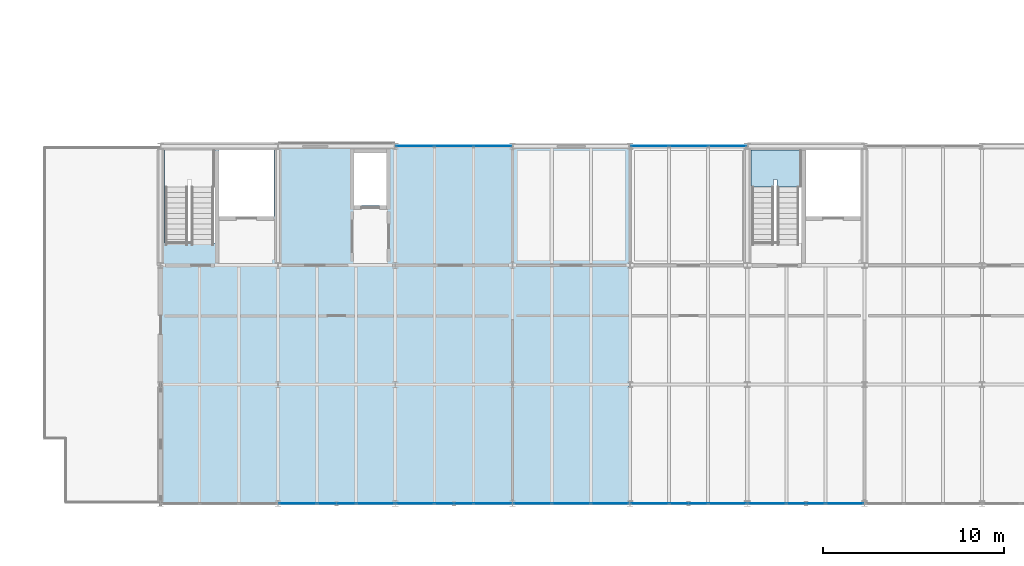
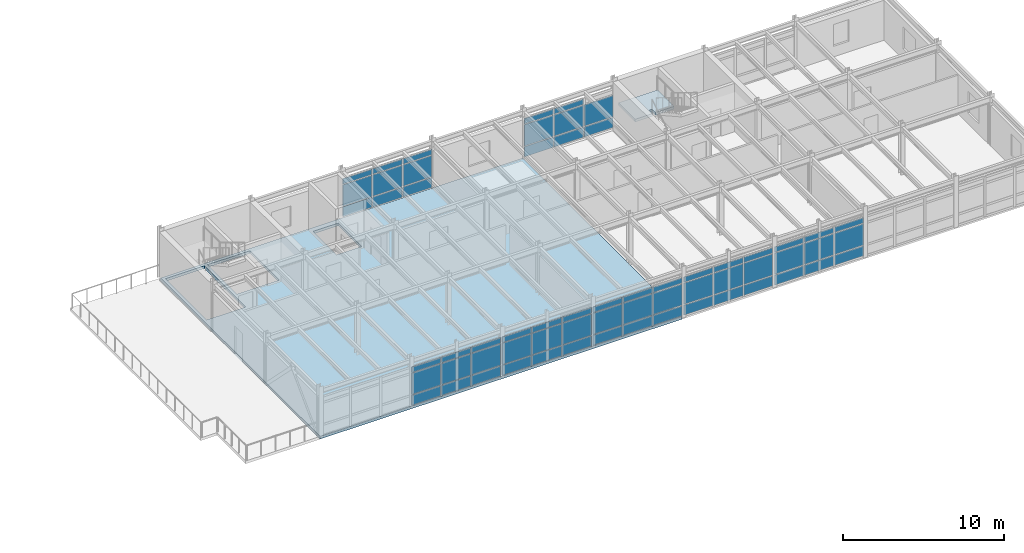
# One storey, part 35 of 57: 62 plates, 2 slabs, 8 elements without a shape of their own.
"""IFC4 building model written with IfcOpenShell, lengths in metres."""

from ifc_helpers import new_model, si_unit, direction, frame, origin, origin_2d, place, context, subcontext, project, spatial, polyline, rectangle, outline, extrude, material, layer, layer_set, type_object, element, aggregate, save


model = new_model("IFC4")

# Units and contexts
model_context = context("Model", 3, precision=1e-05, world=origin(), true_north=direction((0.0, 1.0)))
body_context = subcontext(model_context, "Body", "Model", "MODEL_VIEW")
ifc_project = project(units=[si_unit("LENGTHUNIT", "METRE"), si_unit("AREAUNIT", "SQUARE_METRE"), si_unit("VOLUMEUNIT", "CUBIC_METRE"), si_unit("PLANEANGLEUNIT", "RADIAN"), si_unit("MASSUNIT", "GRAM", prefix="KILO")], contexts=[model_context])

# Site, building, storey
site_placement = place(None, origin())
site = spatial("IfcSite", under=ifc_project, at=site_placement, CompositionType="ELEMENT")
building_placement = place(site_placement, origin())
building = spatial("IfcBuilding", under=site, at=building_placement, Name="Trelmorton Wharf Fire Station", CompositionType="ELEMENT")
storey_placement = place(building_placement, frame((0.0, 0.0, 13.5)))
storey = spatial("IfcBuildingStorey", under=building, at=storey_placement, Name="L03", CompositionType="ELEMENT", Elevation=13.5)

# Curtain wall, plates
ifc_material_1 = material(Name="Anodised aluminium AW-6063", Category="aluminium")
ifc_layer_1 = layer(ifc_material_1, 0.175048828125)
ifc_layer_set_1 = layer_set([ifc_layer_1], Name="Anodised aluminium AW-6063")
curtain_wall_type_1 = type_object("IfcCurtainWallType", Name="CW_CHIC_B", PredefinedType="USERDEFINED", material=ifc_layer_set_1)
curtain_wall_1_placement = place(storey_placement, origin())
curtain_wall_1 = element("IfcCurtainWall", 1, at=curtain_wall_1_placement, inside=storey, type_object=curtain_wall_type_1, Name="CW-V5-L03-062", ObjectType="CHICAGO BAY CURTAIN WALL", PredefinedType="USERDEFINED")
ifc_material_2 = material(Name="Tempered low-E double glazing", Category="glass")
ifc_layer_2 = layer(ifc_material_2, 0.028076171875)
ifc_layer_set_2 = layer_set([ifc_layer_2], Name="Tempered low-E double glazing")
plate_type_1 = type_object("IfcPlateType", Name="CWP_GLAZ_28", PredefinedType="CURTAIN_PANEL", material=ifc_layer_set_2)
plate_1_placement = place(storey_placement, frame((122.3984375, 7.800048828125, 0.06005859375), z_axis=(0.0, 0.0, 1.0), x_axis=(-1.0, 0.0, 0.0)))
plate_1 = element("IfcPlate", 2, at=plate_1_placement, type_object=plate_type_1, Name="CW2 panel 1.1", PredefinedType="CURTAIN_PANEL", context=body_context, shape_type="SweptSolid", body=[
    extrude(rectangle(XDim=2.0732421875, YDim=0.028076171875, at=origin_2d()), origin(), (0.0, 0.0, 1.0), 0.760009765625),
])
plate_2_placement = place(storey_placement, frame((122.3984375, 7.800048828125, 0.8798828125), z_axis=(0.0, 0.0, 1.0), x_axis=(-1.0, 0.0, 0.0)))
plate_2 = element("IfcPlate", 3, at=plate_2_placement, type_object=plate_type_1, Name="CW2 panel 1.2", PredefinedType="CURTAIN_PANEL", context=body_context, shape_type="SweptSolid", body=[
    extrude(rectangle(XDim=2.0732421875, YDim=0.028076171875, at=origin_2d()), origin(), (0.0, 0.0, 1.0), 1.610107421875),
])
plate_3_placement = place(storey_placement, frame((122.3984375, 7.800048828125, 2.5498046875), z_axis=(0.0, 0.0, 1.0), x_axis=(-1.0, 0.0, 0.0)))
plate_3 = element("IfcPlate", 4, at=plate_3_placement, type_object=plate_type_1, Name="CW2 panel 1.3", PredefinedType="CURTAIN_PANEL", context=body_context, shape_type="SweptSolid", body=[
    extrude(rectangle(XDim=2.0732421875, YDim=0.028076171875, at=origin_2d()), origin(), (0.0, 0.0, 1.0), 0.409912109375),
])
plate_4_placement = place(storey_placement, frame((120.25, 7.800048828125, 0.06005859375), z_axis=(0.0, 0.0, 1.0), x_axis=(-1.0, 0.0, 0.0)))
plate_4 = element("IfcPlate", 5, at=plate_4_placement, type_object=plate_type_1, Name="CW2 panel 2.1", PredefinedType="CURTAIN_PANEL", context=body_context, shape_type="SweptSolid", body=[
    extrude(rectangle(XDim=2.103271484375, YDim=0.028076171875, at=origin_2d()), origin(), (0.0, 0.0, 1.0), 0.760009765625),
])
plate_5_placement = place(storey_placement, frame((120.25, 7.800048828125, 0.8798828125), z_axis=(0.0, 0.0, 1.0), x_axis=(-1.0, 0.0, 0.0)))
plate_5 = element("IfcPlate", 6, at=plate_5_placement, type_object=plate_type_1, Name="CW2 panel 2.2", PredefinedType="CURTAIN_PANEL", context=body_context, shape_type="SweptSolid", body=[
    extrude(rectangle(XDim=2.103271484375, YDim=0.028076171875, at=origin_2d()), origin(), (0.0, 0.0, 1.0), 1.610107421875),
])
plate_6_placement = place(storey_placement, frame((120.25, 7.800048828125, 2.5498046875), z_axis=(0.0, 0.0, 1.0), x_axis=(-1.0, 0.0, 0.0)))
plate_6 = element("IfcPlate", 7, at=plate_6_placement, type_object=plate_type_1, Name="CW2 panel 2.3", PredefinedType="CURTAIN_PANEL", context=body_context, shape_type="SweptSolid", body=[
    extrude(rectangle(XDim=2.103271484375, YDim=0.028076171875, at=origin_2d()), origin(), (0.0, 0.0, 1.0), 0.409912109375),
])
plate_7_placement = place(storey_placement, frame((118.1015625, 7.800048828125, 0.06005859375), z_axis=(0.0, 0.0, 1.0), x_axis=(-1.0, 0.0, 0.0)))
plate_7 = element("IfcPlate", 8, at=plate_7_placement, type_object=plate_type_1, Name="CW2 panel 3.1", PredefinedType="CURTAIN_PANEL", context=body_context, shape_type="SweptSolid", body=[
    extrude(rectangle(XDim=2.0732421875, YDim=0.028076171875, at=origin_2d()), origin(), (0.0, 0.0, 1.0), 0.760009765625),
])
plate_8_placement = place(storey_placement, frame((118.1015625, 7.800048828125, 0.8798828125), z_axis=(0.0, 0.0, 1.0), x_axis=(-1.0, 0.0, 0.0)))
plate_8 = element("IfcPlate", 9, at=plate_8_placement, type_object=plate_type_1, Name="CW2 panel 3.2", PredefinedType="CURTAIN_PANEL", context=body_context, shape_type="SweptSolid", body=[
    extrude(rectangle(XDim=2.0732421875, YDim=0.028076171875, at=origin_2d()), origin(), (0.0, 0.0, 1.0), 1.610107421875),
])
plate_9_placement = place(storey_placement, frame((118.1015625, 7.800048828125, 2.5498046875), z_axis=(0.0, 0.0, 1.0), x_axis=(-1.0, 0.0, 0.0)))
plate_9 = element("IfcPlate", 10, at=plate_9_placement, type_object=plate_type_1, Name="CW2 panel 3.3", PredefinedType="CURTAIN_PANEL", context=body_context, shape_type="SweptSolid", body=[
    extrude(rectangle(XDim=2.0732421875, YDim=0.028076171875, at=origin_2d()), origin(), (0.0, 0.0, 1.0), 0.409912109375),
])
aggregate(curtain_wall_1, [plate_1, plate_2, plate_3, plate_4, plate_5, plate_6, plate_7, plate_8, plate_9])

curtain_wall_2_placement = place(storey_placement, origin())
curtain_wall_2 = element("IfcCurtainWall", 11, at=curtain_wall_2_placement, inside=storey, type_object=curtain_wall_type_1, Name="CW-V5-L03-064", ObjectType="CHICAGO BAY CURTAIN WALL", PredefinedType="USERDEFINED")
plate_10_placement = place(storey_placement, frame((135.3984375, 7.800048828125, 0.06005859375), z_axis=(0.0, 0.0, 1.0), x_axis=(-1.0, 0.0, 0.0)))
plate_10 = element("IfcPlate", 12, at=plate_10_placement, type_object=plate_type_1, Name="CW2 panel 1.1", PredefinedType="CURTAIN_PANEL", context=body_context, shape_type="SweptSolid", body=[
    extrude(rectangle(XDim=2.0732421875, YDim=0.028076171875, at=origin_2d()), origin(), (0.0, 0.0, 1.0), 0.760009765625),
])
plate_11_placement = place(storey_placement, frame((135.3984375, 7.800048828125, 0.8798828125), z_axis=(0.0, 0.0, 1.0), x_axis=(-1.0, 0.0, 0.0)))
plate_11 = element("IfcPlate", 13, at=plate_11_placement, type_object=plate_type_1, Name="CW2 panel 1.2", PredefinedType="CURTAIN_PANEL", context=body_context, shape_type="SweptSolid", body=[
    extrude(rectangle(XDim=2.0732421875, YDim=0.028076171875, at=origin_2d()), origin(), (0.0, 0.0, 1.0), 1.610107421875),
])
plate_12_placement = place(storey_placement, frame((135.3984375, 7.800048828125, 2.5498046875), z_axis=(0.0, 0.0, 1.0), x_axis=(-1.0, 0.0, 0.0)))
plate_12 = element("IfcPlate", 14, at=plate_12_placement, type_object=plate_type_1, Name="CW2 panel 1.3", PredefinedType="CURTAIN_PANEL", context=body_context, shape_type="SweptSolid", body=[
    extrude(rectangle(XDim=2.0732421875, YDim=0.028076171875, at=origin_2d()), origin(), (0.0, 0.0, 1.0), 0.409912109375),
])
plate_13_placement = place(storey_placement, frame((133.25, 7.800048828125, 0.06005859375), z_axis=(0.0, 0.0, 1.0), x_axis=(-1.0, 0.0, 0.0)))
plate_13 = element("IfcPlate", 15, at=plate_13_placement, type_object=plate_type_1, Name="CW2 panel 2.1", PredefinedType="CURTAIN_PANEL", context=body_context, shape_type="SweptSolid", body=[
    extrude(rectangle(XDim=2.103271484375, YDim=0.028076171875, at=origin_2d()), origin(), (0.0, 0.0, 1.0), 0.760009765625),
])
plate_14_placement = place(storey_placement, frame((133.25, 7.800048828125, 0.8798828125), z_axis=(0.0, 0.0, 1.0), x_axis=(-1.0, 0.0, 0.0)))
plate_14 = element("IfcPlate", 16, at=plate_14_placement, type_object=plate_type_1, Name="CW2 panel 2.2", PredefinedType="CURTAIN_PANEL", context=body_context, shape_type="SweptSolid", body=[
    extrude(rectangle(XDim=2.103271484375, YDim=0.028076171875, at=origin_2d()), origin(), (0.0, 0.0, 1.0), 1.610107421875),
])
plate_15_placement = place(storey_placement, frame((133.25, 7.800048828125, 2.5498046875), z_axis=(0.0, 0.0, 1.0), x_axis=(-1.0, 0.0, 0.0)))
plate_15 = element("IfcPlate", 17, at=plate_15_placement, type_object=plate_type_1, Name="CW2 panel 2.3", PredefinedType="CURTAIN_PANEL", context=body_context, shape_type="SweptSolid", body=[
    extrude(rectangle(XDim=2.103271484375, YDim=0.028076171875, at=origin_2d()), origin(), (0.0, 0.0, 1.0), 0.409912109375),
])
plate_16_placement = place(storey_placement, frame((131.1015625, 7.800048828125, 0.06005859375), z_axis=(0.0, 0.0, 1.0), x_axis=(-1.0, 0.0, 0.0)))
plate_16 = element("IfcPlate", 18, at=plate_16_placement, type_object=plate_type_1, Name="CW2 panel 3.1", PredefinedType="CURTAIN_PANEL", context=body_context, shape_type="SweptSolid", body=[
    extrude(rectangle(XDim=2.0732421875, YDim=0.028076171875, at=origin_2d()), origin(), (0.0, 0.0, 1.0), 0.760009765625),
])
plate_17_placement = place(storey_placement, frame((131.1015625, 7.800048828125, 0.8798828125), z_axis=(0.0, 0.0, 1.0), x_axis=(-1.0, 0.0, 0.0)))
plate_17 = element("IfcPlate", 19, at=plate_17_placement, type_object=plate_type_1, Name="CW2 panel 3.2", PredefinedType="CURTAIN_PANEL", context=body_context, shape_type="SweptSolid", body=[
    extrude(rectangle(XDim=2.0732421875, YDim=0.028076171875, at=origin_2d()), origin(), (0.0, 0.0, 1.0), 1.610107421875),
])
plate_18_placement = place(storey_placement, frame((131.1015625, 7.800048828125, 2.5498046875), z_axis=(0.0, 0.0, 1.0), x_axis=(-1.0, 0.0, 0.0)))
plate_18 = element("IfcPlate", 20, at=plate_18_placement, type_object=plate_type_1, Name="CW2 panel 3.3", PredefinedType="CURTAIN_PANEL", context=body_context, shape_type="SweptSolid", body=[
    extrude(rectangle(XDim=2.0732421875, YDim=0.028076171875, at=origin_2d()), origin(), (0.0, 0.0, 1.0), 0.409912109375),
])
aggregate(curtain_wall_2, [plate_10, plate_11, plate_12, plate_13, plate_14, plate_15, plate_16, plate_17, plate_18])

ifc_layer_3 = layer(ifc_material_1, 0.159912109375)
ifc_layer_set_3 = layer_set([ifc_layer_3], Name="Anodised aluminium AW-6063")
curtain_wall_type_2 = type_object("IfcCurtainWallType", Name="CW_CHIC_A", PredefinedType="USERDEFINED", material=ifc_layer_set_3)
curtain_wall_3_placement = place(storey_placement, origin())
curtain_wall_3 = element("IfcCurtainWall", 21, at=curtain_wall_3_placement, inside=storey, type_object=curtain_wall_type_2, Name="CW-V5-L03-065", ObjectType="CHICAGO BAY CURTAIN WALL", PredefinedType="USERDEFINED")
plate_19_placement = place(storey_placement, frame((141.8984375, 7.800048828125, 0.06005859375), z_axis=(0.0, 0.0, 1.0), x_axis=(-1.0, 0.0, 0.0)))
plate_19 = element("IfcPlate", 22, at=plate_19_placement, type_object=plate_type_1, Name="CW1 panel 1.1", PredefinedType="CURTAIN_PANEL", context=body_context, shape_type="SweptSolid", body=[
    extrude(rectangle(XDim=2.0732421875, YDim=0.028076171875, at=origin_2d()), origin(), (0.0, 0.0, 1.0), 0.760009765625),
])
plate_20_placement = place(storey_placement, frame((141.8984375, 7.800048828125, 0.8798828125), z_axis=(0.0, 0.0, 1.0), x_axis=(-1.0, 0.0, 0.0)))
plate_20 = element("IfcPlate", 23, at=plate_20_placement, type_object=plate_type_1, Name="CW1 panel 1.2", PredefinedType="CURTAIN_PANEL", context=body_context, shape_type="SweptSolid", body=[
    extrude(rectangle(XDim=2.0732421875, YDim=0.028076171875, at=origin_2d()), origin(), (0.0, 0.0, 1.0), 1.610107421875),
])
plate_21_placement = place(storey_placement, frame((141.8984375, 7.800048828125, 2.5498046875), z_axis=(0.0, 0.0, 1.0), x_axis=(-1.0, 0.0, 0.0)))
plate_21 = element("IfcPlate", 24, at=plate_21_placement, type_object=plate_type_1, Name="CW1 panel 1.3", PredefinedType="CURTAIN_PANEL", context=body_context, shape_type="SweptSolid", body=[
    extrude(rectangle(XDim=2.0732421875, YDim=0.028076171875, at=origin_2d()), origin(), (0.0, 0.0, 1.0), 0.409912109375),
])
plate_22_placement = place(storey_placement, frame((139.75, 7.800048828125, 0.06005859375), z_axis=(0.0, 0.0, 1.0), x_axis=(-1.0, 0.0, 0.0)))
plate_22 = element("IfcPlate", 25, at=plate_22_placement, type_object=plate_type_1, Name="CW1 panel 2.1", PredefinedType="CURTAIN_PANEL", context=body_context, shape_type="SweptSolid", body=[
    extrude(rectangle(XDim=2.103271484375, YDim=0.028076171875, at=origin_2d()), origin(), (0.0, 0.0, 1.0), 0.760009765625),
])
plate_23_placement = place(storey_placement, frame((139.75, 7.800048828125, 0.8798828125), z_axis=(0.0, 0.0, 1.0), x_axis=(-1.0, 0.0, 0.0)))
plate_23 = element("IfcPlate", 26, at=plate_23_placement, type_object=plate_type_1, Name="CW1 panel 2.2", PredefinedType="CURTAIN_PANEL", context=body_context, shape_type="SweptSolid", body=[
    extrude(rectangle(XDim=2.103271484375, YDim=0.028076171875, at=origin_2d()), origin(), (0.0, 0.0, 1.0), 1.610107421875),
])
plate_24_placement = place(storey_placement, frame((139.75, 7.800048828125, 2.5498046875), z_axis=(0.0, 0.0, 1.0), x_axis=(-1.0, 0.0, 0.0)))
plate_24 = element("IfcPlate", 27, at=plate_24_placement, type_object=plate_type_1, Name="CW1 panel 2.3", PredefinedType="CURTAIN_PANEL", context=body_context, shape_type="SweptSolid", body=[
    extrude(rectangle(XDim=2.103271484375, YDim=0.028076171875, at=origin_2d()), origin(), (0.0, 0.0, 1.0), 0.409912109375),
])
plate_25_placement = place(storey_placement, frame((137.6015625, 7.800048828125, 0.06005859375), z_axis=(0.0, 0.0, 1.0), x_axis=(-1.0, 0.0, 0.0)))
plate_25 = element("IfcPlate", 28, at=plate_25_placement, type_object=plate_type_1, Name="CW1 panel 3.1", PredefinedType="CURTAIN_PANEL", context=body_context, shape_type="SweptSolid", body=[
    extrude(rectangle(XDim=2.0732421875, YDim=0.028076171875, at=origin_2d()), origin(), (0.0, 0.0, 1.0), 0.760009765625),
])
plate_26_placement = place(storey_placement, frame((137.6015625, 7.800048828125, 0.8798828125), z_axis=(0.0, 0.0, 1.0), x_axis=(-1.0, 0.0, 0.0)))
plate_26 = element("IfcPlate", 29, at=plate_26_placement, type_object=plate_type_1, Name="CW1 panel 3.2", PredefinedType="CURTAIN_PANEL", context=body_context, shape_type="SweptSolid", body=[
    extrude(rectangle(XDim=2.0732421875, YDim=0.028076171875, at=origin_2d()), origin(), (0.0, 0.0, 1.0), 1.610107421875),
])
plate_27_placement = place(storey_placement, frame((137.6015625, 7.800048828125, 2.5498046875), z_axis=(0.0, 0.0, 1.0), x_axis=(-1.0, 0.0, 0.0)))
plate_27 = element("IfcPlate", 30, at=plate_27_placement, type_object=plate_type_1, Name="CW1 panel 3.3", PredefinedType="CURTAIN_PANEL", context=body_context, shape_type="SweptSolid", body=[
    extrude(rectangle(XDim=2.0732421875, YDim=0.028076171875, at=origin_2d()), origin(), (0.0, 0.0, 1.0), 0.409912109375),
])
aggregate(curtain_wall_3, [plate_19, plate_20, plate_21, plate_22, plate_23, plate_24, plate_25, plate_26, plate_27])

ifc_layer_4 = layer(ifc_material_1, 0.14990234375)
ifc_layer_set_4 = layer_set([ifc_layer_4], Name="Anodised aluminium AW-6063")
curtain_wall_type_3 = type_object("IfcCurtainWallType", Name="CW_UNIT_A", PredefinedType="USERDEFINED", material=ifc_layer_set_4)
curtain_wall_4_placement = place(storey_placement, origin())
curtain_wall_4 = element("IfcCurtainWall", 31, at=curtain_wall_4_placement, inside=storey, type_object=curtain_wall_type_3, Name="CW-V5-L03-070", ObjectType="UNITISED CURTAIN WALL", PredefinedType="USERDEFINED")
plate_28_placement = place(storey_placement, frame((137.6015625, 27.60009765625, 0.06005859375), z_axis=(0.0, 0.0, 1.0), x_axis=(1.0, 0.0, 0.0)))
plate_28 = element("IfcPlate", 32, at=plate_28_placement, type_object=plate_type_1, Name="CW3 panel 1.1", PredefinedType="CURTAIN_PANEL", context=body_context, shape_type="SweptSolid", body=[
    extrude(rectangle(XDim=2.0732421875, YDim=0.028076171875, at=origin_2d()), origin(), (0.0, 0.0, 1.0), 0.760009765625),
])
plate_29_placement = place(storey_placement, frame((137.6015625, 27.60009765625, 0.8798828125), z_axis=(0.0, 0.0, 1.0), x_axis=(1.0, 0.0, 0.0)))
plate_29 = element("IfcPlate", 33, at=plate_29_placement, type_object=plate_type_1, Name="CW3 panel 1.2", PredefinedType="CURTAIN_PANEL", context=body_context, shape_type="SweptSolid", body=[
    extrude(rectangle(XDim=2.0732421875, YDim=0.028076171875, at=origin_2d()), origin(), (0.0, 0.0, 1.0), 1.610107421875),
])
plate_30_placement = place(storey_placement, frame((137.6015625, 27.60009765625, 2.5498046875), z_axis=(0.0, 0.0, 1.0), x_axis=(1.0, 0.0, 0.0)))
plate_30 = element("IfcPlate", 34, at=plate_30_placement, type_object=plate_type_1, Name="CW3 panel 1.3", PredefinedType="CURTAIN_PANEL", context=body_context, shape_type="SweptSolid", body=[
    extrude(rectangle(XDim=2.0732421875, YDim=0.028076171875, at=origin_2d()), origin(), (0.0, 0.0, 1.0), 0.409912109375),
])
plate_31_placement = place(storey_placement, frame((139.75, 27.60009765625, 0.06005859375), z_axis=(0.0, 0.0, 1.0), x_axis=(1.0, 0.0, 0.0)))
plate_31 = element("IfcPlate", 35, at=plate_31_placement, type_object=plate_type_1, Name="CW3 panel 2.1", PredefinedType="CURTAIN_PANEL", context=body_context, shape_type="SweptSolid", body=[
    extrude(rectangle(XDim=2.103271484375, YDim=0.028076171875, at=origin_2d()), origin(), (0.0, 0.0, 1.0), 0.760009765625),
])
plate_32_placement = place(storey_placement, frame((139.75, 27.60009765625, 0.8798828125), z_axis=(0.0, 0.0, 1.0), x_axis=(1.0, 0.0, 0.0)))
plate_32 = element("IfcPlate", 36, at=plate_32_placement, type_object=plate_type_1, Name="CW3 panel 2.2", PredefinedType="CURTAIN_PANEL", context=body_context, shape_type="SweptSolid", body=[
    extrude(rectangle(XDim=2.103271484375, YDim=0.028076171875, at=origin_2d()), origin(), (0.0, 0.0, 1.0), 1.610107421875),
])
plate_33_placement = place(storey_placement, frame((139.75, 27.60009765625, 2.5498046875), z_axis=(0.0, 0.0, 1.0), x_axis=(1.0, 0.0, 0.0)))
plate_33 = element("IfcPlate", 37, at=plate_33_placement, type_object=plate_type_1, Name="CW3 panel 2.3", PredefinedType="CURTAIN_PANEL", context=body_context, shape_type="SweptSolid", body=[
    extrude(rectangle(XDim=2.103271484375, YDim=0.028076171875, at=origin_2d()), origin(), (0.0, 0.0, 1.0), 0.409912109375),
])
plate_34_placement = place(storey_placement, frame((141.8984375, 27.60009765625, 0.06005859375), z_axis=(0.0, 0.0, 1.0), x_axis=(1.0, 0.0, 0.0)))
plate_34 = element("IfcPlate", 38, at=plate_34_placement, type_object=plate_type_1, Name="CW3 panel 3.1", PredefinedType="CURTAIN_PANEL", context=body_context, shape_type="SweptSolid", body=[
    extrude(rectangle(XDim=2.0732421875, YDim=0.028076171875, at=origin_2d()), origin(), (0.0, 0.0, 1.0), 0.760009765625),
])
plate_35_placement = place(storey_placement, frame((141.8984375, 27.60009765625, 0.8798828125), z_axis=(0.0, 0.0, 1.0), x_axis=(1.0, 0.0, 0.0)))
plate_35 = element("IfcPlate", 39, at=plate_35_placement, type_object=plate_type_1, Name="CW3 panel 3.2", PredefinedType="CURTAIN_PANEL", context=body_context, shape_type="SweptSolid", body=[
    extrude(rectangle(XDim=2.0732421875, YDim=0.028076171875, at=origin_2d()), origin(), (0.0, 0.0, 1.0), 1.610107421875),
])
aggregate(curtain_wall_4, [plate_28, plate_29, plate_30, plate_31, plate_32, plate_33, plate_34, plate_35])

curtain_wall_5_placement = place(storey_placement, origin())
curtain_wall_5 = element("IfcCurtainWall", 40, at=curtain_wall_5_placement, inside=storey, type_object=curtain_wall_type_2, Name="CW-V5-L03-063", ObjectType="CHICAGO BAY CURTAIN WALL", PredefinedType="USERDEFINED")
ifc_layer_5 = layer(ifc_material_2, 0.028076171875)
ifc_layer_set_5 = layer_set([ifc_layer_5], Name="Tempered low-E double glazing")
plate_type_2 = type_object("IfcPlateType", Name="CWP_GLAZ_38", PredefinedType="CURTAIN_PANEL", material=ifc_layer_set_5)
plate_36_placement = place(storey_placement, frame((128.8984375, 7.800048828125, 0.06005859375), z_axis=(0.0, 0.0, 1.0), x_axis=(-1.0, 0.0, 0.0)))
plate_36 = element("IfcPlate", 41, at=plate_36_placement, type_object=plate_type_2, Name="CW1 panel 1.1", PredefinedType="CURTAIN_PANEL", context=body_context, shape_type="SweptSolid", body=[
    extrude(rectangle(XDim=2.0732421875, YDim=0.028076171875, at=origin_2d()), origin(), (0.0, 0.0, 1.0), 0.760009765625),
])
plate_37_placement = place(storey_placement, frame((128.8984375, 7.800048828125, 0.8798828125), z_axis=(0.0, 0.0, 1.0), x_axis=(-1.0, 0.0, 0.0)))
plate_37 = element("IfcPlate", 42, at=plate_37_placement, type_object=plate_type_2, Name="CW1 panel 1.2", PredefinedType="CURTAIN_PANEL", context=body_context, shape_type="SweptSolid", body=[
    extrude(rectangle(XDim=2.0732421875, YDim=0.028076171875, at=origin_2d()), origin(), (0.0, 0.0, 1.0), 1.610107421875),
])
plate_38_placement = place(storey_placement, frame((128.8984375, 7.800048828125, 2.5498046875), z_axis=(0.0, 0.0, 1.0), x_axis=(-1.0, 0.0, 0.0)))
plate_38 = element("IfcPlate", 43, at=plate_38_placement, type_object=plate_type_2, Name="CW1 panel 1.3", PredefinedType="CURTAIN_PANEL", context=body_context, shape_type="SweptSolid", body=[
    extrude(rectangle(XDim=2.0732421875, YDim=0.028076171875, at=origin_2d()), origin(), (0.0, 0.0, 1.0), 0.409912109375),
])
plate_39_placement = place(storey_placement, frame((126.75, 7.800048828125, 0.06005859375), z_axis=(0.0, 0.0, 1.0), x_axis=(-1.0, 0.0, 0.0)))
plate_39 = element("IfcPlate", 44, at=plate_39_placement, type_object=plate_type_2, Name="CW1 panel 2.1", PredefinedType="CURTAIN_PANEL", context=body_context, shape_type="SweptSolid", body=[
    extrude(rectangle(XDim=2.103271484375, YDim=0.028076171875, at=origin_2d()), origin(), (0.0, 0.0, 1.0), 0.760009765625),
])
plate_40_placement = place(storey_placement, frame((126.75, 7.800048828125, 0.8798828125), z_axis=(0.0, 0.0, 1.0), x_axis=(-1.0, 0.0, 0.0)))
plate_40 = element("IfcPlate", 45, at=plate_40_placement, type_object=plate_type_2, Name="CW1 panel 2.2", PredefinedType="CURTAIN_PANEL", context=body_context, shape_type="SweptSolid", body=[
    extrude(rectangle(XDim=2.103271484375, YDim=0.028076171875, at=origin_2d()), origin(), (0.0, 0.0, 1.0), 1.610107421875),
])
plate_41_placement = place(storey_placement, frame((126.75, 7.800048828125, 2.5498046875), z_axis=(0.0, 0.0, 1.0), x_axis=(-1.0, 0.0, 0.0)))
plate_41 = element("IfcPlate", 46, at=plate_41_placement, type_object=plate_type_2, Name="CW1 panel 2.3", PredefinedType="CURTAIN_PANEL", context=body_context, shape_type="SweptSolid", body=[
    extrude(rectangle(XDim=2.103271484375, YDim=0.028076171875, at=origin_2d()), origin(), (0.0, 0.0, 1.0), 0.409912109375),
])
plate_42_placement = place(storey_placement, frame((124.6015625, 7.800048828125, 0.06005859375), z_axis=(0.0, 0.0, 1.0), x_axis=(-1.0, 0.0, 0.0)))
plate_42 = element("IfcPlate", 47, at=plate_42_placement, type_object=plate_type_2, Name="CW1 panel 3.1", PredefinedType="CURTAIN_PANEL", context=body_context, shape_type="SweptSolid", body=[
    extrude(rectangle(XDim=2.0732421875, YDim=0.028076171875, at=origin_2d()), origin(), (0.0, 0.0, 1.0), 0.760009765625),
])
plate_43_placement = place(storey_placement, frame((124.6015625, 7.800048828125, 0.8798828125), z_axis=(0.0, 0.0, 1.0), x_axis=(-1.0, 0.0, 0.0)))
plate_43 = element("IfcPlate", 48, at=plate_43_placement, type_object=plate_type_2, Name="CW1 panel 3.2", PredefinedType="CURTAIN_PANEL", context=body_context, shape_type="SweptSolid", body=[
    extrude(rectangle(XDim=2.0732421875, YDim=0.028076171875, at=origin_2d()), origin(), (0.0, 0.0, 1.0), 1.610107421875),
])
plate_44_placement = place(storey_placement, frame((124.6015625, 7.800048828125, 2.5498046875), z_axis=(0.0, 0.0, 1.0), x_axis=(-1.0, 0.0, 0.0)))
plate_44 = element("IfcPlate", 49, at=plate_44_placement, type_object=plate_type_2, Name="CW1 panel 3.3", PredefinedType="CURTAIN_PANEL", context=body_context, shape_type="SweptSolid", body=[
    extrude(rectangle(XDim=2.0732421875, YDim=0.028076171875, at=origin_2d()), origin(), (0.0, 0.0, 1.0), 0.409912109375),
])
aggregate(curtain_wall_5, [plate_36, plate_37, plate_38, plate_39, plate_40, plate_41, plate_42, plate_43, plate_44])

curtain_wall_6_placement = place(storey_placement, origin())
curtain_wall_6 = element("IfcCurtainWall", 50, at=curtain_wall_6_placement, inside=storey, type_object=curtain_wall_type_3, Name="CW-V5-L03-069", ObjectType="UNITISED CURTAIN WALL", PredefinedType="USERDEFINED")
plate_45_placement = place(storey_placement, frame((124.6015625, 27.60009765625, 0.06005859375), z_axis=(0.0, 0.0, 1.0), x_axis=(1.0, 0.0, 0.0)))
plate_45 = element("IfcPlate", 51, at=plate_45_placement, type_object=plate_type_2, Name="CW3 panel 1.1", PredefinedType="CURTAIN_PANEL", context=body_context, shape_type="SweptSolid", body=[
    extrude(rectangle(XDim=2.0732421875, YDim=0.028076171875, at=origin_2d()), origin(), (0.0, 0.0, 1.0), 0.760009765625),
])
plate_46_placement = place(storey_placement, frame((124.6015625, 27.60009765625, 0.8798828125), z_axis=(0.0, 0.0, 1.0), x_axis=(1.0, 0.0, 0.0)))
plate_46 = element("IfcPlate", 52, at=plate_46_placement, type_object=plate_type_2, Name="CW3 panel 1.2", PredefinedType="CURTAIN_PANEL", context=body_context, shape_type="SweptSolid", body=[
    extrude(rectangle(XDim=2.0732421875, YDim=0.028076171875, at=origin_2d()), origin(), (0.0, 0.0, 1.0), 1.610107421875),
])
plate_47_placement = place(storey_placement, frame((124.6015625, 27.60009765625, 2.5498046875), z_axis=(0.0, 0.0, 1.0), x_axis=(1.0, 0.0, 0.0)))
plate_47 = element("IfcPlate", 53, at=plate_47_placement, type_object=plate_type_2, Name="CW3 panel 1.3", PredefinedType="CURTAIN_PANEL", context=body_context, shape_type="SweptSolid", body=[
    extrude(rectangle(XDim=2.0732421875, YDim=0.028076171875, at=origin_2d()), origin(), (0.0, 0.0, 1.0), 0.409912109375),
])
plate_48_placement = place(storey_placement, frame((126.75, 27.60009765625, 0.06005859375), z_axis=(0.0, 0.0, 1.0), x_axis=(1.0, 0.0, 0.0)))
plate_48 = element("IfcPlate", 54, at=plate_48_placement, type_object=plate_type_2, Name="CW3 panel 2.1", PredefinedType="CURTAIN_PANEL", context=body_context, shape_type="SweptSolid", body=[
    extrude(rectangle(XDim=2.103271484375, YDim=0.028076171875, at=origin_2d()), origin(), (0.0, 0.0, 1.0), 0.760009765625),
])
plate_49_placement = place(storey_placement, frame((126.75, 27.60009765625, 0.8798828125), z_axis=(0.0, 0.0, 1.0), x_axis=(1.0, 0.0, 0.0)))
plate_49 = element("IfcPlate", 55, at=plate_49_placement, type_object=plate_type_2, Name="CW3 panel 2.2", PredefinedType="CURTAIN_PANEL", context=body_context, shape_type="SweptSolid", body=[
    extrude(rectangle(XDim=2.103271484375, YDim=0.028076171875, at=origin_2d()), origin(), (0.0, 0.0, 1.0), 1.610107421875),
])
plate_50_placement = place(storey_placement, frame((126.75, 27.60009765625, 2.5498046875), z_axis=(0.0, 0.0, 1.0), x_axis=(1.0, 0.0, 0.0)))
plate_50 = element("IfcPlate", 56, at=plate_50_placement, type_object=plate_type_2, Name="CW3 panel 2.3", PredefinedType="CURTAIN_PANEL", context=body_context, shape_type="SweptSolid", body=[
    extrude(rectangle(XDim=2.103271484375, YDim=0.028076171875, at=origin_2d()), origin(), (0.0, 0.0, 1.0), 0.409912109375),
])
plate_51_placement = place(storey_placement, frame((128.8984375, 27.60009765625, 0.06005859375), z_axis=(0.0, 0.0, 1.0), x_axis=(1.0, 0.0, 0.0)))
plate_51 = element("IfcPlate", 57, at=plate_51_placement, type_object=plate_type_2, Name="CW3 panel 3.1", PredefinedType="CURTAIN_PANEL", context=body_context, shape_type="SweptSolid", body=[
    extrude(rectangle(XDim=2.0732421875, YDim=0.028076171875, at=origin_2d()), origin(), (0.0, 0.0, 1.0), 0.760009765625),
])
plate_52_placement = place(storey_placement, frame((128.8984375, 27.60009765625, 0.8798828125), z_axis=(0.0, 0.0, 1.0), x_axis=(1.0, 0.0, 0.0)))
plate_52 = element("IfcPlate", 58, at=plate_52_placement, type_object=plate_type_2, Name="CW3 panel 3.2", PredefinedType="CURTAIN_PANEL", context=body_context, shape_type="SweptSolid", body=[
    extrude(rectangle(XDim=2.0732421875, YDim=0.028076171875, at=origin_2d()), origin(), (0.0, 0.0, 1.0), 1.610107421875),
])
plate_53_placement = place(storey_placement, frame((128.8984375, 27.60009765625, 2.5498046875), z_axis=(0.0, 0.0, 1.0), x_axis=(1.0, 0.0, 0.0)))
plate_53 = element("IfcPlate", 59, at=plate_53_placement, type_object=plate_type_2, Name="CW3 panel 3.3", PredefinedType="CURTAIN_PANEL", context=body_context, shape_type="SweptSolid", body=[
    extrude(rectangle(XDim=2.0732421875, YDim=0.028076171875, at=origin_2d()), origin(), (0.0, 0.0, 1.0), 0.409912109375),
])
aggregate(curtain_wall_6, [plate_45, plate_46, plate_47, plate_48, plate_49, plate_50, plate_51, plate_52, plate_53])

curtain_wall_7_placement = place(storey_placement, origin())
curtain_wall_7 = element("IfcCurtainWall", 60, at=curtain_wall_7_placement, inside=storey, type_object=curtain_wall_type_1, Name="CW-V5-L03-066", ObjectType="CHICAGO BAY CURTAIN WALL", PredefinedType="USERDEFINED")
ifc_material_3 = material(Name="Ceramic-fritted spandrel glazing", Category="glass")
ifc_layer_6 = layer(ifc_material_3, 0.028076171875)
ifc_layer_set_6 = layer_set([ifc_layer_6], Name="Ceramic-fritted spandrel glazing")
plate_type_3 = type_object("IfcPlateType", Name="CWP_SPAN_48", PredefinedType="CURTAIN_PANEL", material=ifc_layer_set_6)
plate_54_placement = place(storey_placement, frame((148.3984375, 7.800048828125, 0.06005859375), z_axis=(0.0, 0.0, 1.0), x_axis=(-1.0, 0.0, 0.0)))
plate_54 = element("IfcPlate", 61, at=plate_54_placement, type_object=plate_type_3, Name="CW2 panel 1.1", PredefinedType="CURTAIN_PANEL", context=body_context, shape_type="SweptSolid", body=[
    extrude(rectangle(XDim=2.0732421875, YDim=0.028076171875, at=origin_2d()), origin(), (0.0, 0.0, 1.0), 0.760009765625),
])
plate_55_placement = place(storey_placement, frame((148.3984375, 7.800048828125, 0.8798828125), z_axis=(0.0, 0.0, 1.0), x_axis=(-1.0, 0.0, 0.0)))
plate_55 = element("IfcPlate", 62, at=plate_55_placement, type_object=plate_type_3, Name="CW2 panel 1.2", PredefinedType="CURTAIN_PANEL", context=body_context, shape_type="SweptSolid", body=[
    extrude(rectangle(XDim=2.0732421875, YDim=0.028076171875, at=origin_2d()), origin(), (0.0, 0.0, 1.0), 1.610107421875),
])
plate_56_placement = place(storey_placement, frame((148.3984375, 7.800048828125, 2.5498046875), z_axis=(0.0, 0.0, 1.0), x_axis=(-1.0, 0.0, 0.0)))
plate_56 = element("IfcPlate", 63, at=plate_56_placement, type_object=plate_type_3, Name="CW2 panel 1.3", PredefinedType="CURTAIN_PANEL", context=body_context, shape_type="SweptSolid", body=[
    extrude(rectangle(XDim=2.0732421875, YDim=0.028076171875, at=origin_2d()), origin(), (0.0, 0.0, 1.0), 0.409912109375),
])
plate_57_placement = place(storey_placement, frame((146.25, 7.800048828125, 0.06005859375), z_axis=(0.0, 0.0, 1.0), x_axis=(-1.0, 0.0, 0.0)))
plate_57 = element("IfcPlate", 64, at=plate_57_placement, type_object=plate_type_3, Name="CW2 panel 2.1", PredefinedType="CURTAIN_PANEL", context=body_context, shape_type="SweptSolid", body=[
    extrude(rectangle(XDim=2.103271484375, YDim=0.028076171875, at=origin_2d()), origin(), (0.0, 0.0, 1.0), 0.760009765625),
])
plate_58_placement = place(storey_placement, frame((146.25, 7.800048828125, 0.8798828125), z_axis=(0.0, 0.0, 1.0), x_axis=(-1.0, 0.0, 0.0)))
plate_58 = element("IfcPlate", 65, at=plate_58_placement, type_object=plate_type_3, Name="CW2 panel 2.2", PredefinedType="CURTAIN_PANEL", context=body_context, shape_type="SweptSolid", body=[
    extrude(rectangle(XDim=2.103271484375, YDim=0.028076171875, at=origin_2d()), origin(), (0.0, 0.0, 1.0), 1.610107421875),
])
plate_59_placement = place(storey_placement, frame((146.25, 7.800048828125, 2.5498046875), z_axis=(0.0, 0.0, 1.0), x_axis=(-1.0, 0.0, 0.0)))
plate_59 = element("IfcPlate", 66, at=plate_59_placement, type_object=plate_type_3, Name="CW2 panel 2.3", PredefinedType="CURTAIN_PANEL", context=body_context, shape_type="SweptSolid", body=[
    extrude(rectangle(XDim=2.103271484375, YDim=0.028076171875, at=origin_2d()), origin(), (0.0, 0.0, 1.0), 0.409912109375),
])
plate_60_placement = place(storey_placement, frame((144.1015625, 7.800048828125, 0.06005859375), z_axis=(0.0, 0.0, 1.0), x_axis=(-1.0, 0.0, 0.0)))
plate_60 = element("IfcPlate", 67, at=plate_60_placement, type_object=plate_type_3, Name="CW2 panel 3.1", PredefinedType="CURTAIN_PANEL", context=body_context, shape_type="SweptSolid", body=[
    extrude(rectangle(XDim=2.0732421875, YDim=0.028076171875, at=origin_2d()), origin(), (0.0, 0.0, 1.0), 0.760009765625),
])
plate_61_placement = place(storey_placement, frame((144.1015625, 7.800048828125, 0.8798828125), z_axis=(0.0, 0.0, 1.0), x_axis=(-1.0, 0.0, 0.0)))
plate_61 = element("IfcPlate", 68, at=plate_61_placement, type_object=plate_type_3, Name="CW2 panel 3.2", PredefinedType="CURTAIN_PANEL", context=body_context, shape_type="SweptSolid", body=[
    extrude(rectangle(XDim=2.0732421875, YDim=0.028076171875, at=origin_2d()), origin(), (0.0, 0.0, 1.0), 1.610107421875),
])
plate_62_placement = place(storey_placement, frame((144.1015625, 7.800048828125, 2.5498046875), z_axis=(0.0, 0.0, 1.0), x_axis=(-1.0, 0.0, 0.0)))
plate_62 = element("IfcPlate", 69, at=plate_62_placement, type_object=plate_type_3, Name="CW2 panel 3.3", PredefinedType="CURTAIN_PANEL", context=body_context, shape_type="SweptSolid", body=[
    extrude(rectangle(XDim=2.0732421875, YDim=0.028076171875, at=origin_2d()), origin(), (0.0, 0.0, 1.0), 0.409912109375),
])
aggregate(curtain_wall_7, [plate_54, plate_55, plate_56, plate_57, plate_58, plate_59, plate_60, plate_61, plate_62])

# Slab
ifc_material_4 = material(Name="Concrete 40 MPa", Category="concrete")
ifc_layer_7 = layer(ifc_material_4, 0.199951171875)
ifc_layer_set_7 = layer_set([ifc_layer_7], Name="Concrete 40 MPa")
slab_type_1 = type_object("IfcSlabType", Name="SL_FLOOR_200", PredefinedType="FLOOR", material=ifc_layer_set_7)
slab_1_placement = place(storey_placement, frame((0.0, 0.0, -0.199951171875)))
element("IfcSlab", 70, at=slab_1_placement, inside=storey, type_object=slab_type_1, Name="SL-V5-L03-022", PredefinedType="FLOOR", context=body_context, shape_type="SweptSolid", body=[
    extrude(outline(polyline([(110.5, 27.60009765625), (136.449951171875, 27.60009765625), (136.449951171875, 7.800048828125), (110.5, 7.800048828125), (110.5, 27.60009765625)]), holes=[polyline([(110.719970703125, 27.3798828125), (110.719970703125, 22.239990234375), (113.510009765625, 22.239990234375), (113.510009765625, 27.3798828125), (110.719970703125, 27.3798828125)]), polyline([(116.780029296875, 27.3798828125), (113.739990234375, 27.3798828125), (113.739990234375, 23.719970703125), (116.780029296875, 23.719970703125), (116.780029296875, 27.3798828125)]), polyline([(123.02001953125, 24.31005859375), (123.02001953125, 27.22998046875), (121.219970703125, 27.22998046875), (121.219970703125, 24.31005859375), (123.02001953125, 24.31005859375)])]), origin(), (0.0, 0.0, 1.0), 0.199951171875),
])

# Stair, slab
ifc_material_5 = material(Name="Precast concrete 45 MPa", Category="concrete")
stair_type = type_object("IfcStairType", Name="ST_TWO_390", PredefinedType="TWO_STRAIGHT_RUN_STAIR", material=ifc_material_5)
stair_placement = place(storey_placement, origin())
stair = element("IfcStair", 71, at=stair_placement, inside=storey, type_object=stair_type, Name="Escape Stair ST5-L03", PredefinedType="TWO_STRAIGHT_RUN_STAIR")
ifc_layer_8 = layer(ifc_material_5, 0.199951171875)
ifc_layer_set_8 = layer_set([ifc_layer_8], Name="Precast concrete 45 MPa")
slab_type_2 = type_object("IfcSlabType", Name="SL_LAND_180", PredefinedType="LANDING", material=ifc_layer_set_8)
slab_2_placement = place(storey_placement, frame((0.0, 0.0, 1.75)))
slab_2 = element("IfcSlab", 72, at=slab_2_placement, type_object=slab_type_2, Name="ST5-L03 landing 1", PredefinedType="LANDING", context=body_context, shape_type="SweptSolid", body=[
    extrude(outline(polyline([(143.205078125, 25.330078125), (144.4599609375, 25.330078125), (144.4599609375, 25.75), (144.659912109375, 25.75), (144.659912109375, 25.330078125), (146.0048828125, 25.330078125), (146.0048828125, 27.39501953125), (143.205078125, 27.39501953125), (143.205078125, 25.330078125)])), origin(), (0.0, 0.0, 1.0), 0.199951171875),
])
aggregate(stair, [slab_2])

save(model, "model.ifc")
